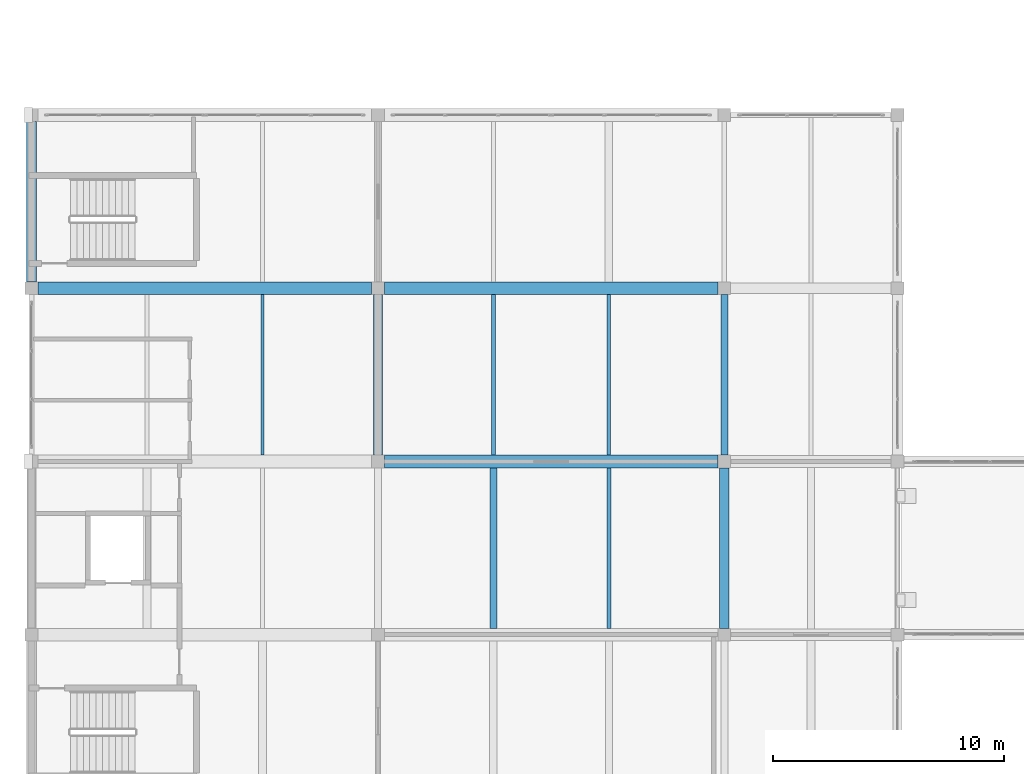
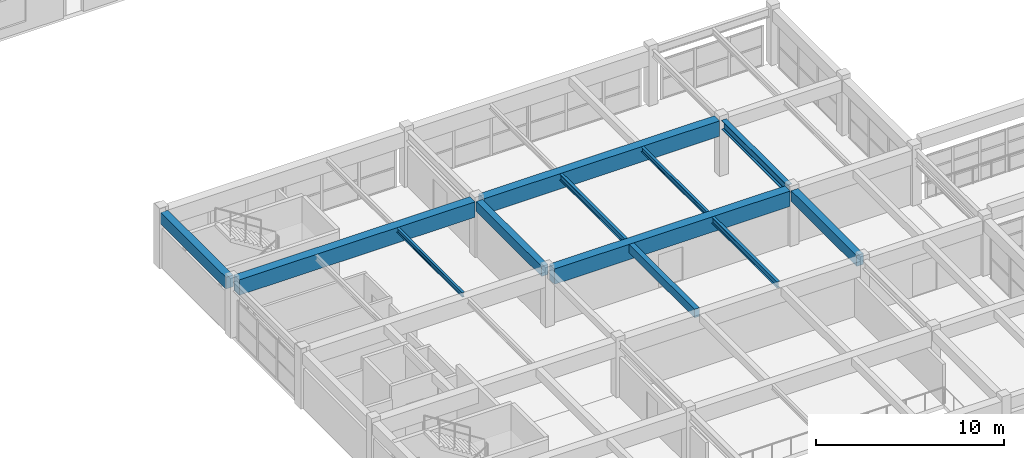
# One storey, part 23 of 101: 12 beams.
"""IFC4 building model written with IfcOpenShell, lengths in metres."""

from ifc_helpers import new_model, si_unit, direction, frame, origin, origin_2d, place, context, subcontext, project, spatial, rectangle, i_section, extrude, material, material_profile, profile_set, type_object, element, save


model = new_model("IFC4")

# Units and contexts
model_context = context("Model", 3, precision=1e-05, world=origin(), true_north=direction((0.0, 1.0)))
body_context = subcontext(model_context, "Body", "Model", "MODEL_VIEW")
ifc_project = project(units=[si_unit("LENGTHUNIT", "METRE"), si_unit("AREAUNIT", "SQUARE_METRE"), si_unit("VOLUMEUNIT", "CUBIC_METRE"), si_unit("PLANEANGLEUNIT", "RADIAN"), si_unit("MASSUNIT", "GRAM", prefix="KILO")], contexts=[model_context])

# Site, building, storey
site_placement = place(None, origin())
site = spatial("IfcSite", under=ifc_project, at=site_placement, CompositionType="ELEMENT")
building_placement = place(site_placement, origin())
building = spatial("IfcBuilding", under=site, at=building_placement, Name="Qasida Concert Hall", CompositionType="ELEMENT")
storey_placement = place(building_placement, frame((0.0, 0.0, 13.199951171875)))
storey = spatial("IfcBuildingStorey", under=building, at=storey_placement, Name="L03", CompositionType="ELEMENT", Elevation=13.199951171875)

# Beams
ifc_material_1 = material(Name="Concrete C40/50", Category="concrete")
ifc_material_profile_1 = material_profile(ifc_material_1, rectangle(XDim=0.39990234375, YDim=0.64990234375, at=origin_2d()), Name="RC 400x650")
ifc_profile_set_1 = profile_set([ifc_material_profile_1], Name="Concrete C40/50")
beam_type_1 = type_object("IfcBeamType", Name="BM-B1", PredefinedType="BEAM", material=ifc_profile_set_1)
beam_1_placement = place(storey_placement, frame((15.0, 37.77490234375, 3.295166015625), z_axis=(0.0, 1.0, 0.0), x_axis=(-1.0, 0.0, 0.0)))
element("IfcBeam", 1, at=beam_1_placement, inside=storey, type_object=beam_type_1, Name="L03 girder 1624", PredefinedType="BEAM", context=body_context, shape_type="SweptSolid", body=[
    extrude(rectangle(XDim=0.39990234375, YDim=0.64990234375, at=origin_2d()), origin(), (0.0, 0.0, 1.0), 6.9501953125),
])
ifc_material_profile_2 = material_profile(ifc_material_1, rectangle(XDim=0.419921875, YDim=0.699951171875, at=origin_2d()), Name="RC 420x700")
ifc_profile_set_2 = profile_set([ifc_material_profile_2], Name="Concrete C40/50")
beam_type_2 = type_object("IfcBeamType", Name="BM-B11", PredefinedType="BEAM", material=ifc_profile_set_2)
beam_2_placement = place(storey_placement, frame((30.0, 30.27490234375, 3.27001953125), z_axis=(0.0, 1.0, 0.0), x_axis=(-1.0, 0.0, 0.0)))
element("IfcBeam", 2, at=beam_2_placement, inside=storey, type_object=beam_type_2, Name="L03 girder 1628", PredefinedType="BEAM", context=body_context, shape_type="SweptSolid", body=[
    extrude(rectangle(XDim=0.419921875, YDim=0.699951171875, at=origin_2d()), origin(), (0.0, 0.0, 1.0), 6.9501953125),
])
ifc_material_2 = material(Name="Steel S355J2", Category="steel")
ifc_material_profile_3 = material_profile(ifc_material_2, i_section(OverallWidth=0.300048828125, OverallDepth=0.60009765625, WebThickness=0.015380859375, FlangeThickness=0.030029296875, FilletRadius=0.027099609375, at=origin_2d()), Name="HEB 600")
ifc_profile_set_3 = profile_set([ifc_material_profile_3], Name="Steel S355J2")
beam_type_3 = type_object("IfcBeamType", Name="BM-B6", PredefinedType="BEAM", material=ifc_profile_set_3)
beam_3_placement = place(storey_placement, frame((30.0, 37.77490234375, 3.320068359375), z_axis=(0.0, 1.0, 0.0), x_axis=(-1.0, 0.0, 0.0)))
element("IfcBeam", 3, at=beam_3_placement, inside=storey, type_object=beam_type_3, Name="L03 girder 1629", PredefinedType="BEAM", context=body_context, shape_type="SweptSolid", body=[
    extrude(i_section(OverallWidth=0.300048828125, OverallDepth=0.60009765625, WebThickness=0.015380859375, FlangeThickness=0.030029296875, FilletRadius=0.027099609375, at=origin_2d()), origin(), (0.0, 0.0, 1.0), 6.9501953125),
])
ifc_material_profile_4 = material_profile(ifc_material_1, rectangle(XDim=0.550048828125, YDim=1.0, at=origin_2d()), Name="RC 550x1000")
ifc_profile_set_4 = profile_set([ifc_material_profile_4], Name="Concrete C40/50")
beam_type_4 = type_object("IfcBeamType", Name="BM-G3", PredefinedType="USERDEFINED", material=ifc_profile_set_4)
for number, where, z_axis, x_axis, name in (
    (4, (15.27490234375, 37.5, 3.1201171875), (1.0, 0.0, 0.0), (0.0, 1.0, 0.0), "Primary girder 1608"),
    (5, (0.27490234375, 45.0, 3.1201171875), (1.0, 0.0, 0.0), (0.0, 1.0, 0.0), "Primary girder 1610"),
    (6, (15.27490234375, 45.0, 3.1201171875), (1.0, 0.0, 0.0), (0.0, 1.0, 0.0), "Primary girder 1611"),
):
    element("IfcBeam", number, at=place(storey_placement, frame(where, z_axis=z_axis, x_axis=x_axis)), inside=storey, type_object=beam_type_4, Name=name, ObjectType="GIRDER", PredefinedType="USERDEFINED", context=body_context, shape_type="SweptSolid", body=[
        extrude(rectangle(XDim=0.550048828125, YDim=1.0, at=origin_2d()), origin(), (0.0, 0.0, 1.0), 14.4501953125),
    ])
ifc_material_profile_5 = material_profile(ifc_material_1, rectangle(XDim=0.300048828125, YDim=0.550048828125, at=origin_2d()), Name="RC 300x550")
ifc_profile_set_5 = profile_set([ifc_material_profile_5], Name="Concrete C40/50")
beam_type_5 = type_object("IfcBeamType", Name="BM-J1", PredefinedType="JOIST", material=ifc_profile_set_5)
beam_4_placement = place(storey_placement, frame((20.0, 30.27490234375, 3.344970703125), z_axis=(0.0, 1.0, 0.0), x_axis=(-1.0, 0.0, 0.0)))
element("IfcBeam", 7, at=beam_4_placement, inside=storey, type_object=beam_type_5, Name="L03 secondary joist 1648", PredefinedType="JOIST", context=body_context, shape_type="SweptSolid", body=[
    extrude(rectangle(XDim=0.300048828125, YDim=0.550048828125, at=origin_2d()), origin(), (0.0, 0.0, 1.0), 6.9501953125),
])
ifc_material_profile_6 = material_profile(ifc_material_2, i_section(OverallWidth=0.179931640625, OverallDepth=0.39990234375, WebThickness=0.008544921875, FlangeThickness=0.013427734375, FilletRadius=0.02099609375, at=origin_2d()), Name="IPE 400")
ifc_profile_set_6 = profile_set([ifc_material_profile_6], Name="Steel S355J2")
beam_type_6 = type_object("IfcBeamType", Name="BM-J3", PredefinedType="JOIST", material=ifc_profile_set_6)
for number, where, z_axis, x_axis, name in (
    (8, (25.0, 30.27490234375, 3.420166015625), (0.0, 1.0, 0.0), (-1.0, 0.0, 0.0), "L03 secondary joist 1649"),
    (9, (20.0, 37.77490234375, 3.420166015625), (0.0, 1.0, 0.0), (-1.0, 0.0, 0.0), "L03 secondary joist 1650"),
):
    element("IfcBeam", number, at=place(storey_placement, frame(where, z_axis=z_axis, x_axis=x_axis)), inside=storey, type_object=beam_type_6, Name=name, PredefinedType="JOIST", context=body_context, shape_type="SweptSolid", body=[
        extrude(i_section(OverallWidth=0.179931640625, OverallDepth=0.39990234375, WebThickness=0.008544921875, FlangeThickness=0.013427734375, FilletRadius=0.02099609375, at=origin_2d()), origin(), (0.0, 0.0, 1.0), 6.9501953125),
    ])
ifc_material_profile_7 = material_profile(ifc_material_2, i_section(OverallWidth=0.14990234375, OverallDepth=0.300048828125, WebThickness=0.007080078125, FlangeThickness=0.0107421875, FilletRadius=0.014892578125, at=origin_2d()), Name="IPE 300")
ifc_profile_set_7 = profile_set([ifc_material_profile_7], Name="Steel S355J2")
beam_type_7 = type_object("IfcBeamType", Name="BM-J4", PredefinedType="JOIST", material=ifc_profile_set_7)
beam_5_placement = place(storey_placement, frame((10.0, 37.77490234375, 3.469970703125), z_axis=(0.0, 1.0, 0.0), x_axis=(-1.0, 0.0, 0.0)))
element("IfcBeam", 10, at=beam_5_placement, inside=storey, type_object=beam_type_7, Name="L03 secondary joist 1642", PredefinedType="JOIST", context=body_context, shape_type="SweptSolid", body=[
    extrude(i_section(OverallWidth=0.14990234375, OverallDepth=0.300048828125, WebThickness=0.007080078125, FlangeThickness=0.0107421875, FilletRadius=0.014892578125, at=origin_2d()), origin(), (0.0, 0.0, 1.0), 6.9501953125),
])
ifc_material_profile_8 = material_profile(ifc_material_2, i_section(OverallWidth=0.159912109375, OverallDepth=0.330078125, WebThickness=0.007568359375, FlangeThickness=0.011474609375, FilletRadius=0.01806640625, at=origin_2d()), Name="IPE 330")
ifc_profile_set_8 = profile_set([ifc_material_profile_8], Name="Steel S355J2")
beam_type_8 = type_object("IfcBeamType", Name="BM-J5", PredefinedType="JOIST", material=ifc_profile_set_8)
beam_6_placement = place(storey_placement, frame((25.0, 37.77490234375, 3.455078125), z_axis=(0.0, 1.0, 0.0), x_axis=(-1.0, 0.0, 0.0)))
element("IfcBeam", 11, at=beam_6_placement, inside=storey, type_object=beam_type_8, Name="L03 secondary joist 1651", PredefinedType="JOIST", context=body_context, shape_type="SweptSolid", body=[
    extrude(i_section(OverallWidth=0.159912109375, OverallDepth=0.330078125, WebThickness=0.007568359375, FlangeThickness=0.011474609375, FilletRadius=0.01806640625, at=origin_2d()), origin(), (0.0, 0.0, 1.0), 6.9501953125),
])
ifc_material_profile_9 = material_profile(ifc_material_1, rectangle(XDim=0.449951171875, YDim=0.75, at=origin_2d()), Name="RC 450x750")
ifc_profile_set_9 = profile_set([ifc_material_profile_9], Name="Concrete C40/50")
beam_type_9 = type_object("IfcBeamType", Name="BM-SP4", PredefinedType="SPANDREL", material=ifc_profile_set_9)
beam_7_placement = place(storey_placement, frame((0.0, 45.27490234375, 3.2451171875), z_axis=(0.0, 1.0, 0.0), x_axis=(-1.0, 0.0, 0.0)))
element("IfcBeam", 12, at=beam_7_placement, inside=storey, type_object=beam_type_9, Name="L03 girder 1620", PredefinedType="SPANDREL", context=body_context, shape_type="SweptSolid", body=[
    extrude(rectangle(XDim=0.449951171875, YDim=0.75, at=origin_2d()), origin(), (0.0, 0.0, 1.0), 6.9501953125),
])

save(model, "model.ifc")
